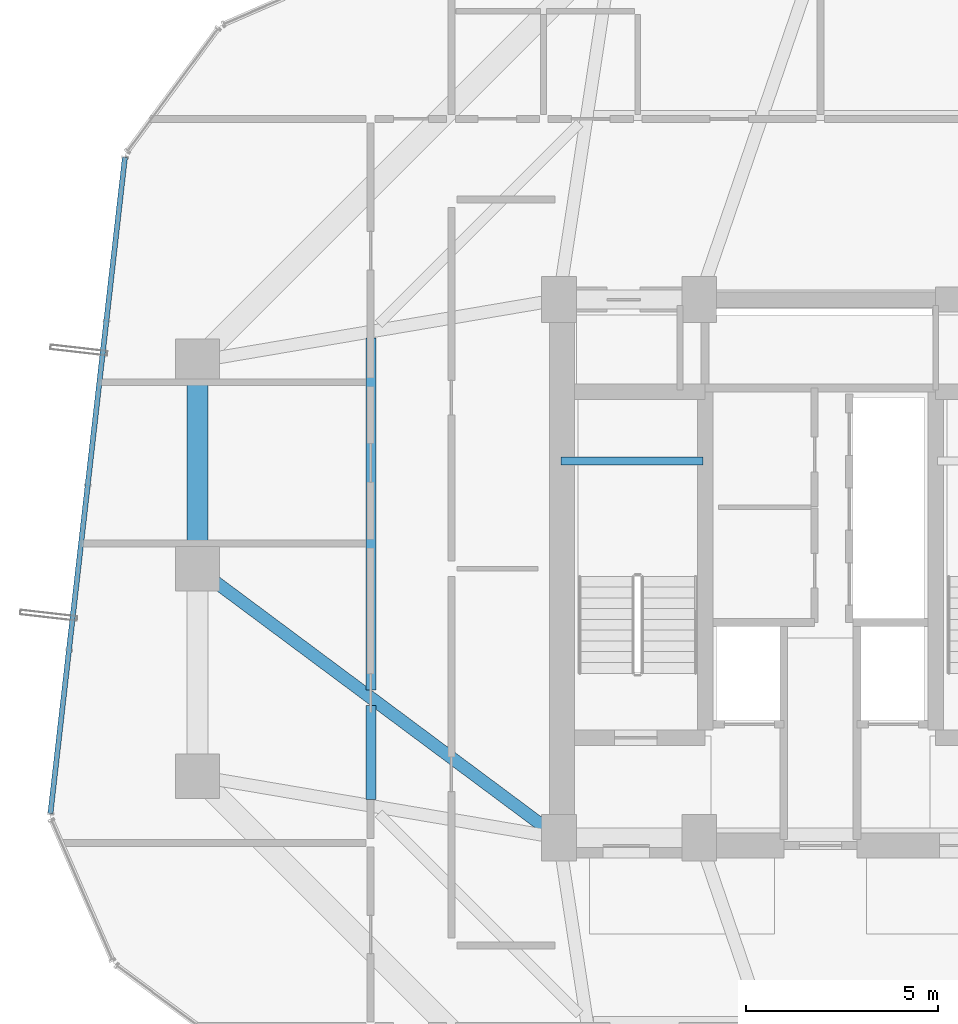
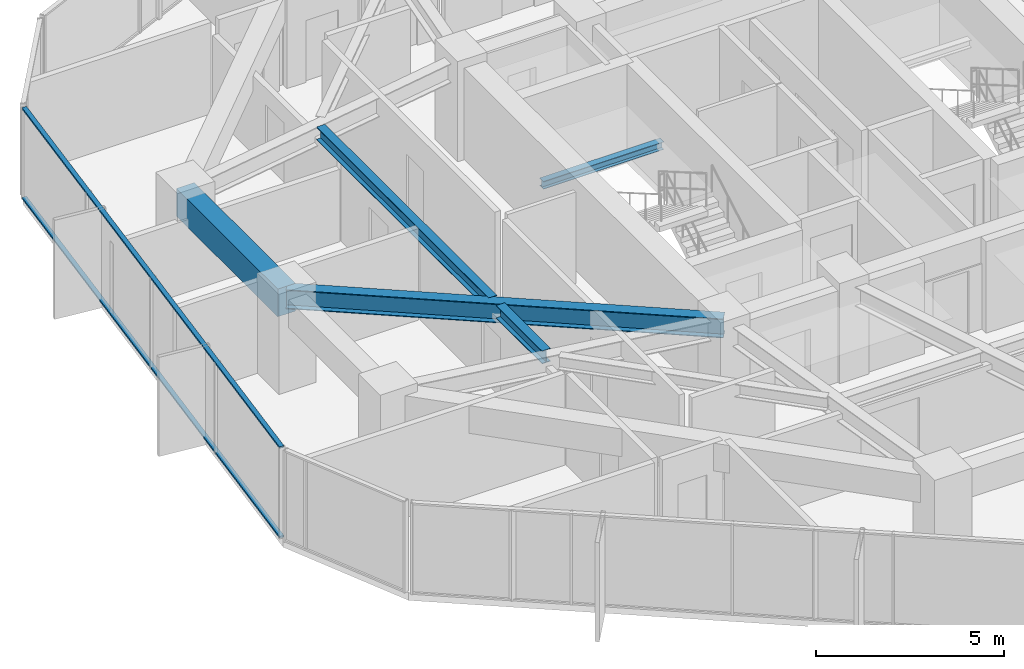
# One storey, part 11 of 29: 5 beams, 2 members, 1 element without a shape of its own.
"""IFC4 building model written with IfcOpenShell, lengths in metres."""

from ifc_helpers import new_model, si_unit, direction, frame, origin, origin_2d, place, context, subcontext, project, spatial, rectangle, hollow_rectangle, i_section, extrude, source, transform, mapped, material, layer, layer_set, material_profile, profile_set, type_object, element, aggregate, save


model = new_model("IFC4")

# Units and contexts
model_context = context("Model", 3, precision=1e-05, world=origin(), true_north=direction((0.0, 1.0)))
body_context = subcontext(model_context, "Body", "Model", "MODEL_VIEW")
ifc_project = project(units=[si_unit("LENGTHUNIT", "METRE"), si_unit("AREAUNIT", "SQUARE_METRE"), si_unit("VOLUMEUNIT", "CUBIC_METRE"), si_unit("PLANEANGLEUNIT", "RADIAN"), si_unit("MASSUNIT", "GRAM", prefix="KILO")], contexts=[model_context])

# Site, building, storey
site_placement = place(None, origin())
site = spatial("IfcSite", under=ifc_project, at=site_placement, CompositionType="ELEMENT")
building_placement = place(site_placement, origin())
building = spatial("IfcBuilding", under=site, at=building_placement, Name="Veraguas Prism Commons", CompositionType="ELEMENT")
storey_placement = place(building_placement, frame((0.0, 0.0, 105.699951171875)))
storey = spatial("IfcBuildingStorey", under=building, at=storey_placement, Name="L29", CompositionType="ELEMENT", Elevation=105.699951171875)

# Beams
ifc_material_1 = material(Name="Steel ASTM A992 Grade 50", Category="steel")
ifc_material_profile_1 = material_profile(ifc_material_1, i_section(OverallWidth=0.260986328125, OverallDepth=0.419921875, WebThickness=0.01171875, FlangeThickness=0.019287109375, at=origin_2d()), Name="W410X114")
ifc_profile_set_1 = profile_set([ifc_material_profile_1], Name="Steel ASTM A992 Grade 50")
beam_type_1 = type_object("IfcBeamType", Name="Lower Floor Joist W410x114", PredefinedType="JOIST", material=ifc_profile_set_1)
beam_1_placement = place(storey_placement, frame((12.31201171875, 30.003662109375, 2.760009765625), z_axis=(0.0, -1.0, 0.0), x_axis=(1.0, 0.0, 0.0)))
element("IfcBeam", 1, at=beam_1_placement, inside=storey, type_object=beam_type_1, Name="Composite Floor Joist L29-JS07", PredefinedType="JOIST", context=body_context, shape_type="SweptSolid", body=[
    extrude(i_section(OverallWidth=0.260986328125, OverallDepth=0.419921875, WebThickness=0.01171875, FlangeThickness=0.019287109375, at=origin_2d()), origin(), (0.0, 0.0, 1.0), 9.16162109375),
])
beam_2_placement = place(storey_placement, frame((12.31201171875, 20.43798828125, 2.760009765625), z_axis=(0.0, -1.0, 0.0), x_axis=(1.0, 0.0, 0.0)))
element("IfcBeam", 2, at=beam_2_placement, inside=storey, type_object=beam_type_1, Name="Composite Floor Joist L29-JS08", PredefinedType="JOIST", context=body_context, shape_type="SweptSolid", body=[
    extrude(i_section(OverallWidth=0.260986328125, OverallDepth=0.419921875, WebThickness=0.01171875, FlangeThickness=0.019287109375, at=origin_2d()), origin(), (0.0, 0.0, 1.0), 2.441650390625),
])
ifc_material_2 = material(Name="Concrete C50/60", Category="concrete")
ifc_material_profile_2 = material_profile(ifc_material_2, rectangle(XDim=0.550048828125, YDim=0.89990234375, at=origin_2d()), Name="RC550X900")
ifc_profile_set_2 = profile_set([ifc_material_profile_2], Name="Concrete C50/60")
beam_type_2 = type_object("IfcBeamType", Name="Perimeter Spandrel Lower RC 550x900", PredefinedType="SPANDREL", material=ifc_profile_set_2)
beam_3_placement = place(storey_placement, frame((7.800048828125, 29.39990234375, 2.52001953125), z_axis=(0.0, -1.0, 0.0), x_axis=(1.0, 0.0, 0.0)))
element("IfcBeam", 3, at=beam_3_placement, inside=storey, type_object=beam_type_2, Name="Perimeter Spandrel Beam L29-SP07", PredefinedType="SPANDREL", context=body_context, shape_type="SweptSolid", body=[
    extrude(rectangle(XDim=0.550048828125, YDim=0.89990234375, at=origin_2d()), origin(), (0.0, 0.0, 1.0), 5.39990234375),
])
ifc_material_profile_3 = material_profile(ifc_material_1, i_section(OverallWidth=0.202880859375, OverallDepth=0.251953125, WebThickness=0.008056640625, FlangeThickness=0.013427734375, at=origin_2d()), Name="W250X58")
ifc_profile_set_3 = profile_set([ifc_material_profile_3], Name="Steel ASTM A992 Grade 50")
beam_type_3 = type_object("IfcBeamType", Name="Structural Opening Lintel W250x58", PredefinedType="LINTEL", material=ifc_profile_set_3)
beam_4_placement = place(storey_placement, frame((17.25, 26.800048828125, 1.299072265625), z_axis=(1.0, 0.0, 0.0), x_axis=(0.0, 1.0, 0.0)))
element("IfcBeam", 4, at=beam_4_placement, inside=storey, type_object=beam_type_3, Name="Stair ST-01 Half-Landing Support Beam L29-1", PredefinedType="LINTEL", context=body_context, shape_type="SweptSolid", body=[
    extrude(i_section(OverallWidth=0.202880859375, OverallDepth=0.251953125, WebThickness=0.008056640625, FlangeThickness=0.013427734375, at=origin_2d()), origin(), (0.0, 0.0, 1.0), 3.699951171875),
])
ifc_material_profile_4 = material_profile(ifc_material_1, i_section(OverallWidth=0.327880859375, OverallDepth=0.6220703125, WebThickness=0.015380859375, FlangeThickness=0.0244140625, at=origin_2d()), Name="W610X195")
ifc_profile_set_4 = profile_set([ifc_material_profile_4], Name="Steel ASTM A992 Grade 50")
beam_type_4 = type_object("IfcBeamType", Name="Zone 2 Radial Girder W610x195", PredefinedType="BEAM", material=ifc_profile_set_4)
beam_5_placement = place(storey_placement, frame((7.800048828125, 24.0, 2.658935546875), z_axis=(0.802040137921, -0.597270137512, 0.0), x_axis=(0.597270137512, 0.802040137921, 0.0)))
element("IfcBeam", 5, at=beam_5_placement, inside=storey, type_object=beam_type_4, Name="Radial Floor Girder L29-RD08", PredefinedType="BEAM", context=body_context, shape_type="SweptSolid", body=[
    extrude(i_section(OverallWidth=0.327880859375, OverallDepth=0.6220703125, WebThickness=0.015380859375, FlangeThickness=0.0244140625, at=origin_2d()), origin(), (0.0, 0.0, 1.0), 11.719970703125),
])

# Curtain wall, members
ifc_material_3 = material(Name="Anodised aluminium EN AW-6063 T6", Category="aluminium")
ifc_layer = layer(ifc_material_3, 0.169921875, Name="Unitised Flush Curtain Wall Zone 2", Category="aluminium")
ifc_layer_set = layer_set([ifc_layer], Name="Anodised aluminium EN AW-6063 T6")
curtain_wall_type = type_object("IfcCurtainWallType", Name="Unitised Flush Curtain Wall Zone 2", PredefinedType="NOTDEFINED", material=ifc_layer_set)
curtain_wall_placement = place(storey_placement, origin())
curtain_wall = element("IfcCurtainWall", 6, at=curtain_wall_placement, inside=storey, type_object=curtain_wall_type, Name="Tower Facade Curtain Wall L29-F3", PredefinedType="NOTDEFINED")
ifc_material_profile_5 = material_profile(ifc_material_3, hollow_rectangle(XDim=0.054931640625, YDim=0.135009765625, WallThickness=0.0029296875, at=origin_2d()), Name="AL55X135X3")
ifc_profile_set_5 = profile_set([ifc_material_profile_5], Name="Anodised aluminium EN AW-6063 T6")
member_type = type_object("IfcMemberType", Name="Curtain Wall Transom Standard AL 55x135x3", PredefinedType="USERDEFINED", material=ifc_profile_set_5)
shared_shape = source(origin(), body_context, "Body", "SweptSolid", [
    extrude(hollow_rectangle(XDim=0.054931640625, YDim=0.135009765625, WallThickness=0.0029296875, at=origin_2d()), origin(), (0.0, 0.0, 1.0), 17.17431640625),
])
member_1_placement = place(storey_placement, frame((5.9091796875, 34.697265625, 0.027587890625), z_axis=(-0.112855784025, -0.993611378765, 0.0), x_axis=(0.0, 0.0, 1.0)))
member_1 = element("IfcMember", 7, at=member_1_placement, type_object=member_type, Name="CW-Z2 Transom 1", ObjectType="TRANSOM", PredefinedType="USERDEFINED", context=body_context, shape_type="MappedRepresentation", body=[
    mapped(shared_shape, transform((0.0, 0.0, 0.0), scale=1.0)),
])
member_2_placement = place(storey_placement, frame((5.9091796875, 34.697265625, 2.942626953125), z_axis=(-0.112855784025, -0.993611378765, 0.0), x_axis=(0.0, 0.0, 1.0)))
member_2 = element("IfcMember", 8, at=member_2_placement, type_object=member_type, Name="CW-Z2 Transom 2", ObjectType="TRANSOM", PredefinedType="USERDEFINED", context=body_context, shape_type="MappedRepresentation", body=[
    mapped(shared_shape, transform((0.0, 0.0, 0.0), scale=1.0)),
])
aggregate(curtain_wall, [member_1, member_2])

save(model, "model.ifc")
